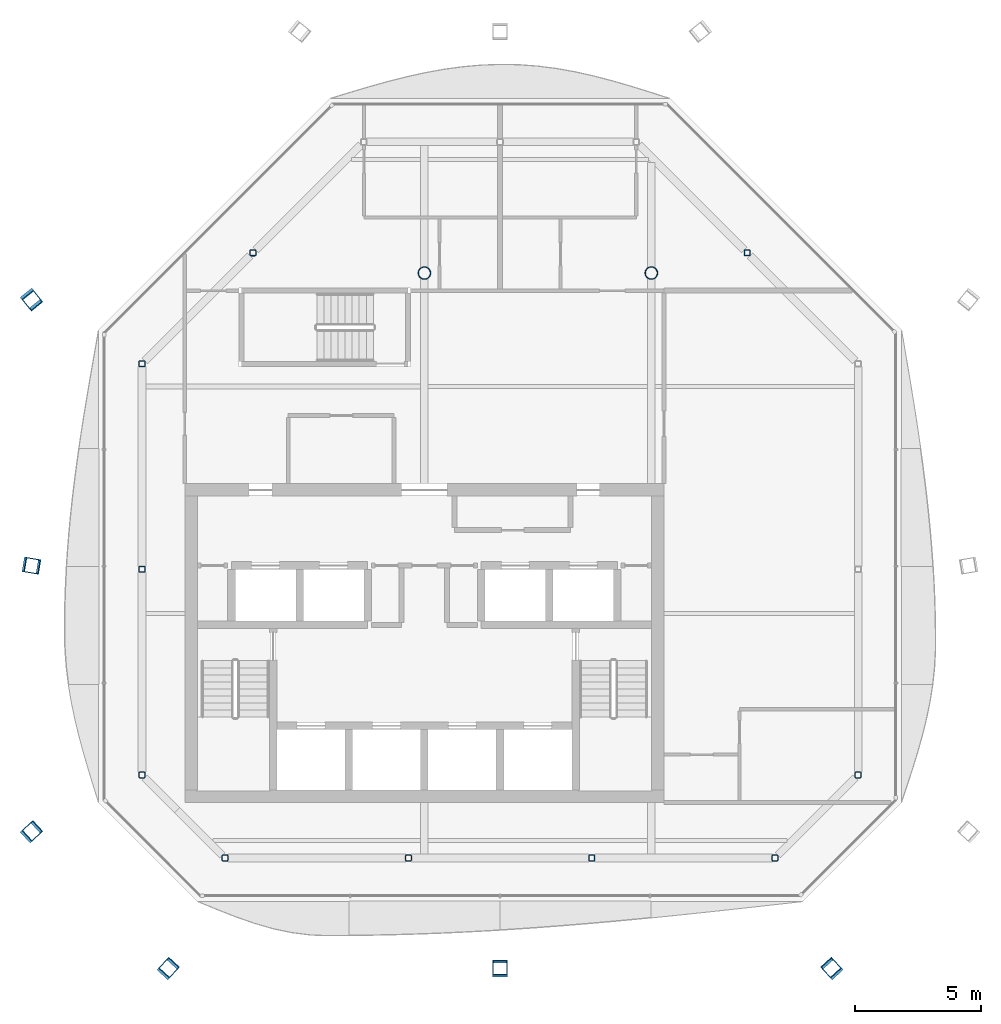
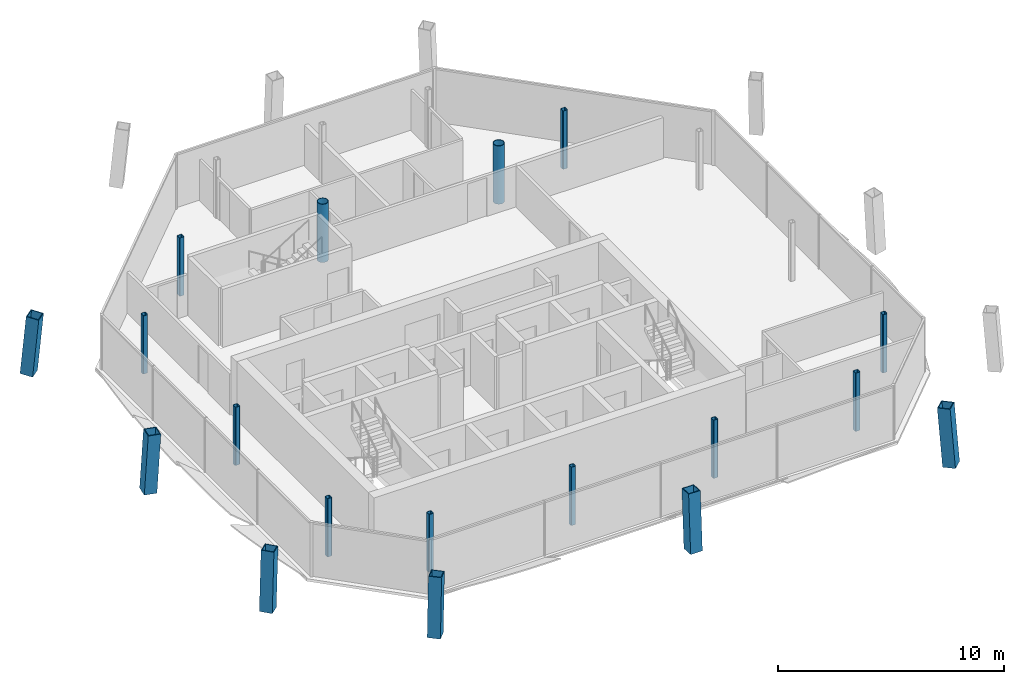
# One storey, part 1 of 13: 18 columns.
"""IFC4 building model written with IfcOpenShell, lengths in metres."""

import ifcopenshell
import ifcopenshell.guid

model = None  # the IFC model being written
_history = None  # IfcOwnerHistory: only IFC2X3 demands one
_inside = {}  # id of a spatial element -> (the spatial element, [elements in it])
_under = {}  # id of a project, library or spatial element -> (it, [spatial elements below it])
_declared = {}  # id of a project -> (the project, [libraries it declares])
_typed = {}  # id of a type object -> (the type object, [elements of that type])
_made_of = {}  # id of a material, layer set ... -> (it, [elements and type objects made of it])


def new_model(schema):
    """Start an empty IFC model of exactly this schema.

    Asked for "IFC4X3", IfcOpenShell would pick the latest addendum, in which some entities
    have other attributes; the version numbers below select the first issue.
    IFC2X3 requires an IfcOwnerHistory on every rooted entity: one is made here for all.
    """
    global model, _history
    if schema == "IFC4X3":
        model = ifcopenshell.file(schema_version=(4, 3, 0, 0))
    else:
        model = ifcopenshell.file(schema=schema)
    _inside.clear()
    _under.clear()
    _declared.clear()
    _typed.clear()
    _made_of.clear()
    _history = None
    if model.schema == "IFC2X3":
        org = make("IfcOrganization", Name="unknown")
        user = make(
            "IfcPersonAndOrganization",
            ThePerson=make("IfcPerson", FamilyName="unknown"),
            TheOrganization=org,
        )
        app = make(
            "IfcApplication",
            ApplicationDeveloper=org,
            Version="unknown",
            ApplicationFullName="unknown",
            ApplicationIdentifier="unknown",
        )
        _history = make(
            "IfcOwnerHistory",
            OwningUser=user,
            OwningApplication=app,
            ChangeAction="ADDED",
            CreationDate=0,
        )
    return model


def make(cls, **values):
    """One entity of the class cls with the attributes given. An attribute that is None is left unset."""
    return model.create_entity(
        cls, **{name: value for name, value in values.items() if value is not None}
    )


def rooted(cls, **values):
    """An entity with a GlobalId (a new one), such as an element, a storey or a relation."""
    return make(cls, GlobalId=ifcopenshell.guid.new(), OwnerHistory=_history, **values)


def si_unit(unit_type, name, prefix=None):
    """IfcSIUnit, for example si_unit("LENGTHUNIT", "METRE", prefix="MILLI")."""
    return make("IfcSIUnit", UnitType=unit_type, Prefix=prefix, Name=name)


def assignment(units):
    """IfcUnitAssignment: the units of a project."""
    return None if units is None else make("IfcUnitAssignment", Units=units)


def point(xyz):
    """IfcCartesianPoint."""
    return None if xyz is None else make("IfcCartesianPoint", Coordinates=xyz)


def direction(xyz):
    """IfcDirection."""
    return None if xyz is None else make("IfcDirection", DirectionRatios=xyz)


def frame(location, z_axis=None, x_axis=None):
    """IfcAxis2Placement3D, a coordinate frame: its origin and axes. An axis left out is left unset."""
    return make(
        "IfcAxis2Placement3D",
        Location=point(location),
        Axis=direction(z_axis),
        RefDirection=direction(x_axis),
    )


def frame_2d(location, x_axis=None):
    """IfcAxis2Placement2D, a coordinate frame in the plane: its origin and x axis."""
    return make(
        "IfcAxis2Placement2D", Location=point(location), RefDirection=direction(x_axis)
    )


def origin():
    """The frame at (0, 0, 0) with its axes left unset."""
    return frame((0.0, 0.0, 0.0))


def origin_2d():
    """The frame at (0, 0) in the plane with its x axis left unset."""
    return frame_2d((0.0, 0.0))


def place(relative_to, where):
    """IfcLocalPlacement: puts the frame where relative to a parent placement (None: the world)."""
    return make(
        "IfcLocalPlacement", PlacementRelTo=relative_to, RelativePlacement=where
    )


def context(
    kind, dimensions, precision=None, world=None, true_north=None, identifier=None
):
    """IfcGeometricRepresentationContext, for example the 3D "Model" context."""
    return make(
        "IfcGeometricRepresentationContext",
        ContextIdentifier=identifier,
        ContextType=kind,
        CoordinateSpaceDimension=dimensions,
        Precision=precision,
        WorldCoordinateSystem=world,
        TrueNorth=true_north,
    )


def subcontext(parent, identifier, kind, view, scale=None):
    """IfcGeometricRepresentationSubContext, for example "Body" below "Model"."""
    return make(
        "IfcGeometricRepresentationSubContext",
        ContextIdentifier=identifier,
        ContextType=kind,
        ParentContext=parent,
        TargetScale=scale,
        TargetView=view,
    )


def project(units=None, contexts=None):
    """IfcProject with its units and contexts."""
    return rooted(
        "IfcProject",
        Name="project",
        RepresentationContexts=contexts,
        UnitsInContext=assignment(units),
    )


def spatial(cls, under=None, at=None, **own):
    """A site, building, storey or space (cls), placed at a placement, below another one or the project."""
    s = rooted(cls, ObjectPlacement=at, **own)
    if under is not None:
        _under.setdefault(under.id(), (under, []))[1].append(s)
    return s


def profile(cls, at=None, kind="AREA", **sizes):
    """A parametric profile (cls). Its sizes go by their IFC names, for example OverallWidth=200.0."""
    return make(cls, ProfileType=kind, Position=at, **sizes)


def hollow_rectangle(**sizes):
    """IfcRectangleHollowProfileDef."""
    return profile("IfcRectangleHollowProfileDef", **sizes)


def hollow_circle(**sizes):
    """IfcCircleHollowProfileDef."""
    return profile("IfcCircleHollowProfileDef", **sizes)


def extrude(swept, where, along, depth):
    """IfcExtrudedAreaSolid: the profile swept, set in the frame where, extruded along a direction by depth."""
    return make(
        "IfcExtrudedAreaSolid",
        SweptArea=swept,
        Position=where,
        ExtrudedDirection=direction(along),
        Depth=depth,
    )


def shape(context_of_items, identifier, shape_type, items):
    """IfcShapeRepresentation: the items that make up one representation, for example the "Body"."""
    return make(
        "IfcShapeRepresentation",
        ContextOfItems=context_of_items,
        RepresentationIdentifier=identifier,
        RepresentationType=shape_type,
        Items=items,
    )


def material(Name=None, Category=None):
    """IfcMaterial."""
    return make("IfcMaterial", Name=Name, Category=Category)


def material_profile(
    of_material, cross_section, Name=None, Category=None, Priority=None
):
    """IfcMaterialProfile: a cross section and its material."""
    return make(
        "IfcMaterialProfile",
        Name=Name,
        Material=of_material,
        Profile=cross_section,
        Priority=Priority,
        Category=Category,
    )


def profile_set(profiles, Name=None, composite=None):
    """IfcMaterialProfileSet."""
    return make(
        "IfcMaterialProfileSet",
        Name=Name,
        MaterialProfiles=profiles,
        CompositeProfile=composite,
    )


def made_of(thing, what):
    """Note that an element or type object is made of a material, layer set ...; save() writes the relation."""
    if what is not None:
        _made_of.setdefault(what.id(), (what, []))[1].append(thing)
    return thing


def type_object(cls, material=None, **own):
    """A type object (cls), such as IfcWallType, which elements share."""
    return made_of(rooted(cls, **own), material)


def element(
    cls,
    number,
    at=None,
    inside=None,
    cuts=None,
    type_object=None,
    material=None,
    context=None,
    identifier="Body",
    shape_type=None,
    held_by="IfcProductDefinitionShape",
    body=None,
    shapes=None,
    **own,
):
    """One element of the class cls, such as IfcWall. Its Tag is "e" and its number.

    at: its placement. inside: the storey or other place that contains it. cuts: it is an
    opening in that element (IfcRelVoidsElement). A single representation is given by context,
    identifier, shape_type and body (its items); several are given by shapes. held_by: the class
    of the entity that holds the representations. save() writes the other relations.
    """
    e = rooted(cls, Tag="e%d" % number, ObjectPlacement=at, **own)
    if body is not None:
        shapes = [shape(context, identifier, shape_type, body)]
    if shapes is not None:
        e.Representation = make(held_by, Representations=shapes)
    if inside is not None:
        _inside.setdefault(inside.id(), (inside, []))[1].append(e)
    if cuts is not None:
        rooted(
            "IfcRelVoidsElement", RelatingBuildingElement=cuts, RelatedOpeningElement=e
        )
    if type_object is not None:
        _typed.setdefault(type_object.id(), (type_object, []))[1].append(e)
    return made_of(e, material)


def aggregate(whole, parts):
    """IfcRelAggregates: a whole, such as a stair, and the parts it consists of."""
    return rooted("IfcRelAggregates", RelatingObject=whole, RelatedObjects=parts)


def save(model, path):
    """Write the relations noted so far, then the file.

    IfcRelAggregates (storeys below a building ...), IfcRelContainedInSpatialStructure (elements
    in a storey), IfcRelDefinesByType, IfcRelAssociatesMaterial and IfcRelDeclares: one each for
    every whole, place, type object, material and project.
    """
    for whole, parts in _under.values():
        aggregate(whole, parts)
    for where, things in _inside.values():
        rooted(
            "IfcRelContainedInSpatialStructure",
            RelatedElements=things,
            RelatingStructure=where,
        )
    for kind, things in _typed.values():
        rooted("IfcRelDefinesByType", RelatedObjects=things, RelatingType=kind)
    for what, things in _made_of.values():
        rooted("IfcRelAssociatesMaterial", RelatedObjects=things, RelatingMaterial=what)
    for by, libraries in _declared.values():
        rooted("IfcRelDeclares", RelatingContext=by, RelatedDefinitions=libraries)
    model.write(path)


model = new_model("IFC4")

# Units and contexts
model_context = context("Model", 3, precision=1e-05, world=origin(), true_north=direction((0.0, 1.0)))
body_context = subcontext(model_context, "Body", "Model", "MODEL_VIEW")
ifc_project = project(units=[si_unit("LENGTHUNIT", "METRE"), si_unit("AREAUNIT", "SQUARE_METRE"), si_unit("VOLUMEUNIT", "CUBIC_METRE"), si_unit("PLANEANGLEUNIT", "RADIAN"), si_unit("MASSUNIT", "GRAM", prefix="KILO")], contexts=[model_context])

# Site, building, storey
site_placement = place(None, origin())
site = spatial("IfcSite", under=ifc_project, at=site_placement, CompositionType="ELEMENT")
building_placement = place(site_placement, origin())
building = spatial("IfcBuilding", under=site, at=building_placement, Name="Tskaro Facet Tower", CompositionType="ELEMENT")
storey_placement = place(building_placement, frame((0.0, 0.0, 281.550048828125)))
storey = spatial("IfcBuildingStorey", under=building, at=storey_placement, Name="L75", CompositionType="ELEMENT", Elevation=281.550048828125)

# Columns
ifc_material_1 = material(Name="Steel S355J2", Category="steel")
ifc_material_profile_1 = material_profile(ifc_material_1, hollow_rectangle(XDim=0.60009765625, YDim=0.60009765625, WallThickness=0.0400390625, at=origin_2d()), Name="BOX 600x600x40")
ifc_profile_set_1 = profile_set([ifc_material_profile_1], Name="Steel S355J2")
column_type_1 = type_object("IfcColumnType", Name="BOX 600x600x40 mega column", PredefinedType="COLUMN", material=ifc_profile_set_1)
column_1_placement = place(storey_placement, frame((-10.18798828125, -18.614990234375, 0.0), z_axis=(0.052851719252, 0.057951446548, 0.996919417814), x_axis=(-0.738869281565, 0.673848784787, 0.0)))
element("IfcColumn", 1, at=column_1_placement, inside=storey, type_object=column_type_1, Name="BOX 600x600x40 MC01/6", PredefinedType="COLUMN", context=body_context, shape_type="SweptSolid", body=[
    extrude(hollow_rectangle(XDim=0.60009765625, YDim=0.60009765625, WallThickness=0.0400390625, at=origin_2d()), origin(), (0.0, 0.0, 1.0), 3.15966796875),
])
column_2_placement = place(storey_placement, frame((3.0, -18.614990234375, 0.0), z_axis=(0.0, 0.058032554517, 0.998314691175), x_axis=(-1.0, 0.0, 0.0)))
element("IfcColumn", 2, at=column_2_placement, inside=storey, type_object=column_type_1, Name="BOX 600x600x40 MC02/6", PredefinedType="COLUMN", context=body_context, shape_type="SweptSolid", body=[
    extrude(hollow_rectangle(XDim=0.60009765625, YDim=0.60009765625, WallThickness=0.0400390625, at=origin_2d()), origin(), (0.0, 0.0, 1.0), 3.1552734375),
])
column_3_placement = place(storey_placement, frame((16.18798828125, -18.614990234375, 0.0), z_axis=(-0.052851719252, 0.057951446548, 0.996919417814), x_axis=(-0.738869281565, -0.673848784787, 0.0)))
element("IfcColumn", 3, at=column_3_placement, inside=storey, type_object=column_type_1, Name="BOX 600x600x40 MC03/6", PredefinedType="COLUMN", context=body_context, shape_type="SweptSolid", body=[
    extrude(hollow_rectangle(XDim=0.60009765625, YDim=0.60009765625, WallThickness=0.0400390625, at=origin_2d()), origin(), (0.0, 0.0, 1.0), 3.15966796875),
])
column_4_placement = place(storey_placement, frame((-15.614990234375, 7.987060546875, 0.0), z_axis=(0.057882880729, -0.071774772104, 0.99573990289), x_axis=(0.778413039475, 0.62775245119, 0.0)))
element("IfcColumn", 4, at=column_4_placement, inside=storey, type_object=column_type_1, Name="BOX 600x600x40 MC10/6", PredefinedType="COLUMN", context=body_context, shape_type="SweptSolid", body=[
    extrude(hollow_rectangle(XDim=0.60009765625, YDim=0.60009765625, WallThickness=0.0400390625, at=origin_2d()), origin(), (0.0, 0.0, 1.0), 3.163330078125),
])
column_5_placement = place(storey_placement, frame((-15.614990234375, -2.60009765625, 0.0), z_axis=(0.058029752708, -0.009826371459, 0.998266492588), x_axis=(0.166956611923, 0.985964243639, 0.0)))
element("IfcColumn", 5, at=column_5_placement, inside=storey, type_object=column_type_1, Name="BOX 600x600x40 MC11/6", PredefinedType="COLUMN", context=body_context, shape_type="SweptSolid", body=[
    extrude(hollow_rectangle(XDim=0.60009765625, YDim=0.60009765625, WallThickness=0.0400390625, at=origin_2d()), origin(), (0.0, 0.0, 1.0), 3.1552734375),
])
column_6_placement = place(storey_placement, frame((-15.614990234375, -13.18798828125, 0.0), z_axis=(0.057951446548, 0.052851719252, 0.996919417814), x_axis=(-0.673848784787, 0.738869281565, 0.0)))
element("IfcColumn", 6, at=column_6_placement, inside=storey, type_object=column_type_1, Name="BOX 600x600x40 MC12/6", PredefinedType="COLUMN", context=body_context, shape_type="SweptSolid", body=[
    extrude(hollow_rectangle(XDim=0.60009765625, YDim=0.60009765625, WallThickness=0.0400390625, at=origin_2d()), origin(), (0.0, 0.0, 1.0), 3.15966796875),
])
ifc_material_2 = material(Name="Steel S355J2H", Category="steel")
ifc_material_profile_2 = material_profile(ifc_material_2, hollow_circle(Radius=0.25390625, WallThickness=0.02490234375, at=origin_2d()), Name="CHS 508x25")
ifc_profile_set_2 = profile_set([ifc_material_profile_2], Name="Steel S355J2H")
column_type_2 = type_object("IfcColumnType", Name="CHS 508x25 interior column", PredefinedType="COLUMN", material=ifc_profile_set_2)
for number, where, z_axis, x_axis, name in (
    (7, (0.0, 9.0, 0.0), (0.0, 0.0, 1.0), (1.0, 0.0, 0.0), "CHS 508x25 C4E/6"),
    (8, (9.0, 9.0, 0.0), (0.0, 0.0, 1.0), (1.0, 0.0, 0.0), "CHS 508x25 C5E/6"),
):
    element("IfcColumn", number, at=place(storey_placement, frame(where, z_axis=z_axis, x_axis=x_axis)), inside=storey, type_object=column_type_2, Name=name, PredefinedType="COLUMN", context=body_context, shape_type="SweptSolid", body=[
        extrude(hollow_circle(Radius=0.25390625, WallThickness=0.02490234375, at=origin_2d()), origin(), (0.0, 0.0, 1.0), 3.14990234375),
    ])
ifc_material_profile_3 = material_profile(ifc_material_2, hollow_rectangle(XDim=0.25, YDim=0.25, WallThickness=0.02001953125, InnerFilletRadius=0.030029296875, OuterFilletRadius=0.050048828125, at=origin_2d()), Name="SHS 250x250x20")
ifc_profile_set_3 = profile_set([ifc_material_profile_3], Name="Steel S355J2H")
column_type_3 = type_object("IfcColumnType", Name="SHS 250x250x20 ring column", PredefinedType="COLUMN", material=ifc_profile_set_3)
for number, where, z_axis, x_axis, name in (
    (9, (-7.903076171875, -14.199951171875, 0.0), (0.0, 0.0, 1.0), (1.0, 0.0, 0.0), "SHS 250x250x20 RS-1/6"),
    (10, (-0.634033203125, -14.199951171875, 0.0), (0.0, 0.0, 1.0), (1.0, 0.0, 0.0), "SHS 250x250x20 RS-2/6"),
    (11, (6.634033203125, -14.199951171875, 0.0), (0.0, 0.0, 1.0), (1.0, 0.0, 0.0), "SHS 250x250x20 RS-3/6"),
    (12, (13.903076171875, -14.199951171875, 0.0), (0.0, 0.0, 1.0), (1.0, 0.0, 0.0), "SHS 250x250x20 RSE-1/6"),
    (13, (17.199951171875, -10.903076171875, 0.0), (0.0, 0.0, 1.0), (1.0, 0.0, 0.0), "SHS 250x250x20 RE-1/6"),
    (14, (12.802001953125, 9.802001953125, 0.0), (0.0, 0.0, 1.0), (1.0, 0.0, 0.0), "SHS 250x250x20 RNE-2/6"),
    (15, (-6.801025390625, 9.801025390625, 0.0), (0.0, 0.0, 1.0), (1.0, 0.0, 0.0), "SHS 250x250x20 RNW-2/6"),
    (16, (-11.199951171875, 5.403076171875, 0.0), (0.0, 0.0, 1.0), (1.0, 0.0, 0.0), "SHS 250x250x20 RW-1/6"),
    (17, (-11.199951171875, -2.75, 0.0), (0.0, 0.0, 1.0), (1.0, 0.0, 0.0), "SHS 250x250x20 RW-2/6"),
    (18, (-11.199951171875, -10.903076171875, 0.0), (0.0, 0.0, 1.0), (1.0, 0.0, 0.0), "SHS 250x250x20 RSW-1/6"),
):
    element("IfcColumn", number, at=place(storey_placement, frame(where, z_axis=z_axis, x_axis=x_axis)), inside=storey, type_object=column_type_3, Name=name, PredefinedType="COLUMN", context=body_context, shape_type="SweptSolid", body=[
        extrude(hollow_rectangle(XDim=0.25, YDim=0.25, WallThickness=0.02001953125, InnerFilletRadius=0.030029296875, OuterFilletRadius=0.050048828125, at=origin_2d()), origin(), (0.0, 0.0, 1.0), 3.14990234375),
    ])

save(model, "model.ifc")
